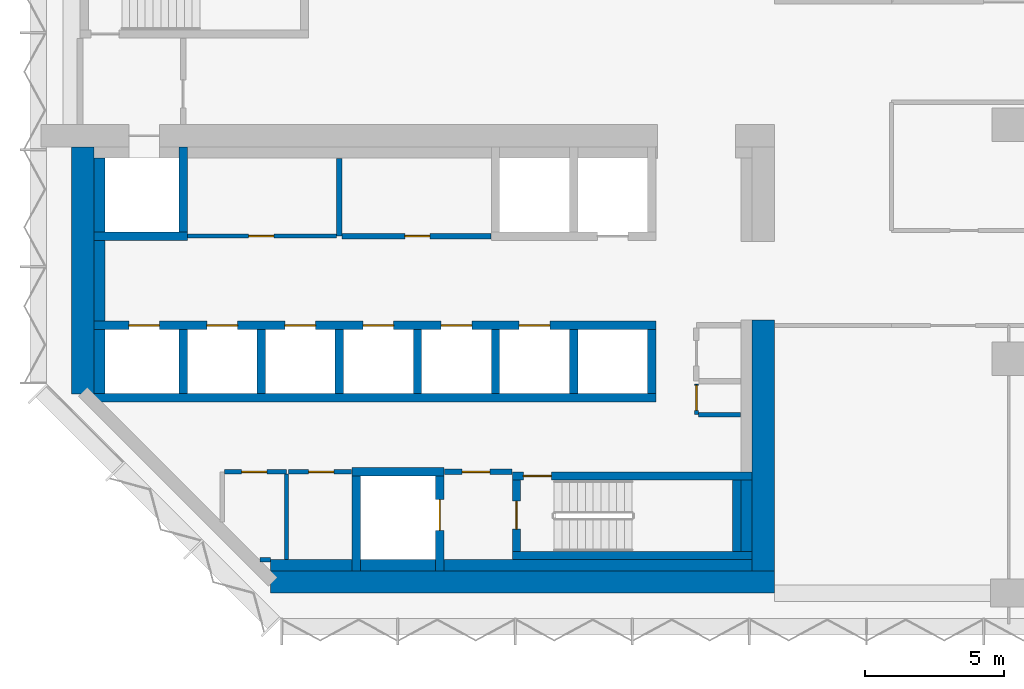
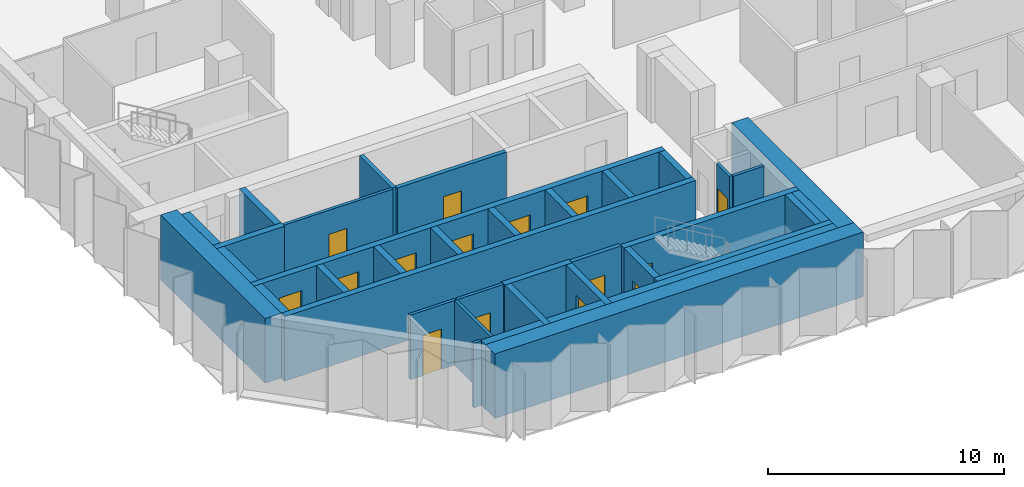
# One storey, part 7 of 13: 38 walls, 15 doors, 15 openings.
"""IFC4 building model written with IfcOpenShell, lengths in metres."""

import ifcopenshell
import ifcopenshell.guid

model = None  # the IFC model being written
_history = None  # IfcOwnerHistory: only IFC2X3 demands one
_inside = {}  # id of a spatial element -> (the spatial element, [elements in it])
_under = {}  # id of a project, library or spatial element -> (it, [spatial elements below it])
_declared = {}  # id of a project -> (the project, [libraries it declares])
_typed = {}  # id of a type object -> (the type object, [elements of that type])
_made_of = {}  # id of a material, layer set ... -> (it, [elements and type objects made of it])


def new_model(schema):
    """Start an empty IFC model of exactly this schema.

    Asked for "IFC4X3", IfcOpenShell would pick the latest addendum, in which some entities
    have other attributes; the version numbers below select the first issue.
    IFC2X3 requires an IfcOwnerHistory on every rooted entity: one is made here for all.
    """
    global model, _history
    if schema == "IFC4X3":
        model = ifcopenshell.file(schema_version=(4, 3, 0, 0))
    else:
        model = ifcopenshell.file(schema=schema)
    _inside.clear()
    _under.clear()
    _declared.clear()
    _typed.clear()
    _made_of.clear()
    _history = None
    if model.schema == "IFC2X3":
        org = make("IfcOrganization", Name="unknown")
        user = make(
            "IfcPersonAndOrganization",
            ThePerson=make("IfcPerson", FamilyName="unknown"),
            TheOrganization=org,
        )
        app = make(
            "IfcApplication",
            ApplicationDeveloper=org,
            Version="unknown",
            ApplicationFullName="unknown",
            ApplicationIdentifier="unknown",
        )
        _history = make(
            "IfcOwnerHistory",
            OwningUser=user,
            OwningApplication=app,
            ChangeAction="ADDED",
            CreationDate=0,
        )
    return model


def make(cls, **values):
    """One entity of the class cls with the attributes given. An attribute that is None is left unset."""
    return model.create_entity(
        cls, **{name: value for name, value in values.items() if value is not None}
    )


def rooted(cls, **values):
    """An entity with a GlobalId (a new one), such as an element, a storey or a relation."""
    return make(cls, GlobalId=ifcopenshell.guid.new(), OwnerHistory=_history, **values)


def si_unit(unit_type, name, prefix=None):
    """IfcSIUnit, for example si_unit("LENGTHUNIT", "METRE", prefix="MILLI")."""
    return make("IfcSIUnit", UnitType=unit_type, Prefix=prefix, Name=name)


def assignment(units):
    """IfcUnitAssignment: the units of a project."""
    return None if units is None else make("IfcUnitAssignment", Units=units)


def point(xyz):
    """IfcCartesianPoint."""
    return None if xyz is None else make("IfcCartesianPoint", Coordinates=xyz)


def direction(xyz):
    """IfcDirection."""
    return None if xyz is None else make("IfcDirection", DirectionRatios=xyz)


def frame(location, z_axis=None, x_axis=None):
    """IfcAxis2Placement3D, a coordinate frame: its origin and axes. An axis left out is left unset."""
    return make(
        "IfcAxis2Placement3D",
        Location=point(location),
        Axis=direction(z_axis),
        RefDirection=direction(x_axis),
    )


def frame_2d(location, x_axis=None):
    """IfcAxis2Placement2D, a coordinate frame in the plane: its origin and x axis."""
    return make(
        "IfcAxis2Placement2D", Location=point(location), RefDirection=direction(x_axis)
    )


def origin():
    """The frame at (0, 0, 0) with its axes left unset."""
    return frame((0.0, 0.0, 0.0))


def place(relative_to, where):
    """IfcLocalPlacement: puts the frame where relative to a parent placement (None: the world)."""
    return make(
        "IfcLocalPlacement", PlacementRelTo=relative_to, RelativePlacement=where
    )


def context(
    kind, dimensions, precision=None, world=None, true_north=None, identifier=None
):
    """IfcGeometricRepresentationContext, for example the 3D "Model" context."""
    return make(
        "IfcGeometricRepresentationContext",
        ContextIdentifier=identifier,
        ContextType=kind,
        CoordinateSpaceDimension=dimensions,
        Precision=precision,
        WorldCoordinateSystem=world,
        TrueNorth=true_north,
    )


def subcontext(parent, identifier, kind, view, scale=None):
    """IfcGeometricRepresentationSubContext, for example "Body" below "Model"."""
    return make(
        "IfcGeometricRepresentationSubContext",
        ContextIdentifier=identifier,
        ContextType=kind,
        ParentContext=parent,
        TargetScale=scale,
        TargetView=view,
    )


def project(units=None, contexts=None):
    """IfcProject with its units and contexts."""
    return rooted(
        "IfcProject",
        Name="project",
        RepresentationContexts=contexts,
        UnitsInContext=assignment(units),
    )


def spatial(cls, under=None, at=None, **own):
    """A site, building, storey or space (cls), placed at a placement, below another one or the project."""
    s = rooted(cls, ObjectPlacement=at, **own)
    if under is not None:
        _under.setdefault(under.id(), (under, []))[1].append(s)
    return s


def profile(cls, at=None, kind="AREA", **sizes):
    """A parametric profile (cls). Its sizes go by their IFC names, for example OverallWidth=200.0."""
    return make(cls, ProfileType=kind, Position=at, **sizes)


def rectangle(**sizes):
    """IfcRectangleProfileDef."""
    return profile("IfcRectangleProfileDef", **sizes)


def extrude(swept, where, along, depth):
    """IfcExtrudedAreaSolid: the profile swept, set in the frame where, extruded along a direction by depth."""
    return make(
        "IfcExtrudedAreaSolid",
        SweptArea=swept,
        Position=where,
        ExtrudedDirection=direction(along),
        Depth=depth,
    )


def shape(context_of_items, identifier, shape_type, items):
    """IfcShapeRepresentation: the items that make up one representation, for example the "Body"."""
    return make(
        "IfcShapeRepresentation",
        ContextOfItems=context_of_items,
        RepresentationIdentifier=identifier,
        RepresentationType=shape_type,
        Items=items,
    )


def material(Name=None, Category=None):
    """IfcMaterial."""
    return make("IfcMaterial", Name=Name, Category=Category)


def layer(
    of_material, thickness, ventilated=None, Name=None, Category=None, Priority=None
):
    """IfcMaterialLayer: one layer of a wall or slab, of a material (None: an air gap)."""
    return make(
        "IfcMaterialLayer",
        Material=of_material,
        LayerThickness=thickness,
        IsVentilated=ventilated,
        Name=Name,
        Category=Category,
        Priority=Priority,
    )


def layer_set(layers, Name=None):
    """IfcMaterialLayerSet."""
    return make("IfcMaterialLayerSet", MaterialLayers=layers, LayerSetName=Name)


def made_of(thing, what):
    """Note that an element or type object is made of a material, layer set ...; save() writes the relation."""
    if what is not None:
        _made_of.setdefault(what.id(), (what, []))[1].append(thing)
    return thing


def type_object(cls, material=None, **own):
    """A type object (cls), such as IfcWallType, which elements share."""
    return made_of(rooted(cls, **own), material)


def element(
    cls,
    number,
    at=None,
    inside=None,
    cuts=None,
    type_object=None,
    material=None,
    context=None,
    identifier="Body",
    shape_type=None,
    held_by="IfcProductDefinitionShape",
    body=None,
    shapes=None,
    **own,
):
    """One element of the class cls, such as IfcWall. Its Tag is "e" and its number.

    at: its placement. inside: the storey or other place that contains it. cuts: it is an
    opening in that element (IfcRelVoidsElement). A single representation is given by context,
    identifier, shape_type and body (its items); several are given by shapes. held_by: the class
    of the entity that holds the representations. save() writes the other relations.
    """
    e = rooted(cls, Tag="e%d" % number, ObjectPlacement=at, **own)
    if body is not None:
        shapes = [shape(context, identifier, shape_type, body)]
    if shapes is not None:
        e.Representation = make(held_by, Representations=shapes)
    if inside is not None:
        _inside.setdefault(inside.id(), (inside, []))[1].append(e)
    if cuts is not None:
        rooted(
            "IfcRelVoidsElement", RelatingBuildingElement=cuts, RelatedOpeningElement=e
        )
    if type_object is not None:
        _typed.setdefault(type_object.id(), (type_object, []))[1].append(e)
    return made_of(e, material)


def fill(opening, filler):
    """IfcRelFillsElement: the door or window that sits in an opening."""
    return rooted(
        "IfcRelFillsElement",
        RelatingOpeningElement=opening,
        RelatedBuildingElement=filler,
    )


def aggregate(whole, parts):
    """IfcRelAggregates: a whole, such as a stair, and the parts it consists of."""
    return rooted("IfcRelAggregates", RelatingObject=whole, RelatedObjects=parts)


def save(model, path):
    """Write the relations noted so far, then the file.

    IfcRelAggregates (storeys below a building ...), IfcRelContainedInSpatialStructure (elements
    in a storey), IfcRelDefinesByType, IfcRelAssociatesMaterial and IfcRelDeclares: one each for
    every whole, place, type object, material and project.
    """
    for whole, parts in _under.values():
        aggregate(whole, parts)
    for where, things in _inside.values():
        rooted(
            "IfcRelContainedInSpatialStructure",
            RelatedElements=things,
            RelatingStructure=where,
        )
    for kind, things in _typed.values():
        rooted("IfcRelDefinesByType", RelatedObjects=things, RelatingType=kind)
    for what, things in _made_of.values():
        rooted("IfcRelAssociatesMaterial", RelatedObjects=things, RelatingMaterial=what)
    for by, libraries in _declared.values():
        rooted("IfcRelDeclares", RelatingContext=by, RelatedDefinitions=libraries)
    model.write(path)


model = new_model("IFC4")

# Units and contexts
model_context = context("Model", 3, precision=1e-05, world=origin(), true_north=direction((0.0, 1.0)))
body_context = subcontext(model_context, "Body", "Model", "MODEL_VIEW")
ifc_project = project(units=[si_unit("LENGTHUNIT", "METRE"), si_unit("AREAUNIT", "SQUARE_METRE"), si_unit("VOLUMEUNIT", "CUBIC_METRE"), si_unit("PLANEANGLEUNIT", "RADIAN"), si_unit("MASSUNIT", "GRAM", prefix="KILO")], contexts=[model_context])

# Site, building, storey
site_placement = place(None, origin())
site = spatial("IfcSite", under=ifc_project, at=site_placement, CompositionType="ELEMENT")
building_placement = place(site_placement, origin())
building = spatial("IfcBuilding", under=site, at=building_placement, Name="Brevane Broadcast Tower", CompositionType="ELEMENT")
storey_placement = place(building_placement, frame((0.0, 0.0, 98.89990234375)))
storey = spatial("IfcBuildingStorey", under=building, at=storey_placement, Name="L23", CompositionType="ELEMENT", Elevation=98.89990234375)

# Walls
ifc_material_1 = material(Name="Concrete C32/40", Category="concrete")
ifc_layer_1 = layer(ifc_material_1, 0.39990234375)
ifc_layer_set_1 = layer_set([ifc_layer_1], Name="Core chase wall 400 mm")
wall_type_1 = type_object("IfcWallType", Name="Core chase wall 400 mm", PredefinedType="PARTITIONING", material=ifc_layer_set_1)
wall_1_placement = place(storey_placement, frame((1.0, 7.14990234375, 0.0), z_axis=(0.0, 0.0, 1.0), x_axis=(0.0, 1.0, 0.0)))
element("IfcWall", 1, at=wall_1_placement, inside=storey, type_object=wall_type_1, Name="L23 chase wall LW-2-1", PredefinedType="PARTITIONING", context=body_context, shape_type="SweptSolid", body=[
    extrude(rectangle(XDim=2.300048828125, YDim=0.39990234375, at=frame_2d((1.14990234375, 0.0))), origin(), (0.0, 0.0, 1.0), 3.35009765625),
])
wall_2_placement = place(storey_placement, frame((1.0, 9.75, 0.0), z_axis=(0.0, 0.0, 1.0), x_axis=(0.0, 1.0, 0.0)))
element("IfcWall", 2, at=wall_2_placement, inside=storey, type_object=wall_type_1, Name="L23 chase wall LW-2-2-1", PredefinedType="PARTITIONING", context=body_context, shape_type="SweptSolid", body=[
    extrude(rectangle(XDim=2.89990234375, YDim=0.39990234375, at=frame_2d((1.449951171875, 0.0))), origin(), (0.0, 0.0, 1.0), 3.35009765625),
])
wall_3_placement = place(storey_placement, frame((1.0, 12.949951171875, 0.0), z_axis=(0.0, 0.0, 1.0), x_axis=(0.0, 1.0, 0.0)))
element("IfcWall", 3, at=wall_3_placement, inside=storey, type_object=wall_type_1, Name="L23 chase wall LW-2-2-2", PredefinedType="PARTITIONING", context=body_context, shape_type="SweptSolid", body=[
    extrude(rectangle(XDim=2.650146484375, YDim=0.39990234375, at=frame_2d((1.3251953125, 0.0))), origin(), (0.0, 0.0, 1.0), 3.35009765625),
])
wall_4_placement = place(storey_placement, frame((7.136474609375, 1.0, 0.0), z_axis=(0.0, 0.0, 1.0), x_axis=(1.0, 0.0, 0.0)))
element("IfcWall", 4, at=wall_4_placement, inside=storey, type_object=wall_type_1, Name="L23 chase wall LS-1", PredefinedType="PARTITIONING", context=body_context, shape_type="SweptSolid", body=[
    extrude(rectangle(XDim=2.91357421875, YDim=0.39990234375, at=frame_2d((1.456787109375, 0.0))), origin(), (0.0, 0.0, 1.0), 3.35009765625),
])
wall_5_placement = place(storey_placement, frame((10.35009765625, 1.0, 0.0), z_axis=(0.0, 0.0, 1.0), x_axis=(1.0, 0.0, 0.0)))
element("IfcWall", 5, at=wall_5_placement, inside=storey, type_object=wall_type_1, Name="L23 chase wall LS-2-1", PredefinedType="PARTITIONING", context=body_context, shape_type="SweptSolid", body=[
    extrude(rectangle(XDim=2.699951171875, YDim=0.39990234375, at=frame_2d((1.35009765625, 0.0))), origin(), (0.0, 0.0, 1.0), 3.35009765625),
])
wall_6_placement = place(storey_placement, frame((13.35009765625, 1.0, 0.0), z_axis=(0.0, 0.0, 1.0), x_axis=(1.0, 0.0, 0.0)))
element("IfcWall", 6, at=wall_6_placement, inside=storey, type_object=wall_type_1, Name="L23 chase wall LS-2-2", PredefinedType="PARTITIONING", context=body_context, shape_type="SweptSolid", body=[
    extrude(rectangle(XDim=11.0498046875, YDim=0.39990234375, at=frame_2d((5.52490234375, 0.0))), origin(), (0.0, 0.0, 1.0), 3.35009765625),
])
wall_7_placement = place(storey_placement, frame((24.199951171875, 1.5, 0.0), z_axis=(0.0, 0.0, 1.0), x_axis=(0.0, 1.0, 0.0)))
element("IfcWall", 7, at=wall_7_placement, inside=storey, type_object=wall_type_1, Name="L23 chase wall LE1-2-1", PredefinedType="PARTITIONING", context=body_context, shape_type="SweptSolid", body=[
    extrude(rectangle(XDim=2.550048828125, YDim=0.39990234375, at=frame_2d((1.27490234375, 0.0))), origin(), (0.0, 0.0, 1.0), 3.35009765625),
])

# Wall, opening, door
ifc_material_2 = material(Name="Gypsum board on steel studs", Category="steel")
ifc_layer_2 = layer(ifc_material_2, 0.14990234375)
ifc_layer_set_2 = layer_set([ifc_layer_2], Name="Core fire partition 150 mm")
wall_type_2 = type_object("IfcWallType", Name="Core fire partition 150 mm", PredefinedType="PARTITIONING", material=ifc_layer_set_2)
wall_8_placement = place(storey_placement, frame((4.162109375, 12.800048828125, 0.0), z_axis=(0.0, 0.0, 1.0), x_axis=(1.0, 0.0, 0.0)))
wall_8 = element("IfcWall", 8, at=wall_8_placement, inside=storey, type_object=wall_type_2, Name="L23 partition wall P09", PredefinedType="PARTITIONING", context=body_context, shape_type="SweptSolid", body=[
    extrude(rectangle(XDim=5.337890625, YDim=0.14990234375, at=frame_2d((2.6689453125, 0.0))), origin(), (0.0, 0.0, 1.0), 3.35009765625),
])
opening_1_placement = place(wall_8_placement, frame((2.18798828125, 0.0, 0.0)))
opening_1 = element("IfcOpeningElement", 9, at=opening_1_placement, cuts=wall_8, Name="Opening L23-K21", PredefinedType="OPENING", context=body_context, shape_type="SweptSolid", body=[
    extrude(rectangle(XDim=0.89990234375, YDim=2.10009765625, at=frame_2d((0.449951171875, 1.050048828125))), frame((0.0, 0.0849609375, 0.0), z_axis=(0.0, -1.0, 0.0), x_axis=(1.0, 0.0, 0.0)), (0.0, 0.0, 1.0), 0.169921875),
])
ifc_material_3 = material(Name="Steel", Category="steel")
door_type_1 = type_object("IfcDoorType", Name="Service room door 900 x 2100", OperationType="SINGLE_SWING_LEFT", PredefinedType="DOOR", material=ifc_material_3)
door_1_placement = place(opening_1_placement, origin())
door_1 = element("IfcDoor", 10, at=door_1_placement, inside=storey, type_object=door_type_1, Name="Door L23-K21", OperationType="SINGLE_SWING_LEFT", OverallHeight=2.10009765625, OverallWidth=0.89990234375, PredefinedType="DOOR", context=body_context, shape_type="SweptSolid", body=[
    extrude(rectangle(XDim=0.89990234375, YDim=2.10009765625, at=frame_2d((0.449951171875, 1.050048828125))), frame((0.0, 0.02490234375, 0.0), z_axis=(0.0, -1.0, 0.0), x_axis=(1.0, 0.0, 0.0)), (0.0, 0.0, 1.0), 0.050048828125),
])
fill(opening_1, door_1)

wall_9_placement = place(storey_placement, frame((5.47509765625, 4.35009765625, 0.0), z_axis=(0.0, 0.0, 1.0), x_axis=(1.0, 0.0, 0.0)))
wall_9 = element("IfcWall", 11, at=wall_9_placement, inside=storey, type_object=wall_type_2, Name="L23 partition wall P11", PredefinedType="PARTITIONING", context=body_context, shape_type="SweptSolid", body=[
    extrude(rectangle(XDim=2.224853515625, YDim=0.14990234375, at=frame_2d((1.1123046875, 0.0))), origin(), (0.0, 0.0, 1.0), 3.35009765625),
])
opening_2_placement = place(wall_9_placement, frame((0.625, 0.0, 0.0)))
opening_2 = element("IfcOpeningElement", 12, at=opening_2_placement, cuts=wall_9, Name="Opening L23-K16", PredefinedType="OPENING", context=body_context, shape_type="SweptSolid", body=[
    extrude(rectangle(XDim=0.89990234375, YDim=2.10009765625, at=frame_2d((0.449951171875, 1.050048828125))), frame((0.0, 0.0849609375, 0.0), z_axis=(0.0, -1.0, 0.0), x_axis=(1.0, 0.0, 0.0)), (0.0, 0.0, 1.0), 0.169921875),
])
ifc_material_4 = material(Name="Timber", Category="wood")
door_type_2 = type_object("IfcDoorType", Name="Toilet door 900 x 2100", OperationType="SINGLE_SWING_LEFT", PredefinedType="DOOR", material=ifc_material_4)
door_2_placement = place(opening_2_placement, origin())
door_2 = element("IfcDoor", 13, at=door_2_placement, inside=storey, type_object=door_type_2, Name="Door L23-K16", OperationType="SINGLE_SWING_RIGHT", OverallHeight=2.10009765625, OverallWidth=0.89990234375, PredefinedType="DOOR", context=body_context, shape_type="SweptSolid", body=[
    extrude(rectangle(XDim=0.89990234375, YDim=2.10009765625, at=frame_2d((0.449951171875, 1.050048828125))), frame((0.0, 0.02490234375, 0.0), z_axis=(0.0, -1.0, 0.0), x_axis=(1.0, 0.0, 0.0)), (0.0, 0.0, 1.0), 0.050048828125),
])
fill(opening_2, door_2)

# Walls
wall_10_placement = place(storey_placement, frame((7.699951171875, 4.27490234375, 0.0), z_axis=(0.0, 0.0, 1.0), x_axis=(0.0, -1.0, 0.0)))
element("IfcWall", 14, at=wall_10_placement, inside=storey, type_object=wall_type_2, Name="L23 partition wall P12", PredefinedType="PARTITIONING", context=body_context, shape_type="SweptSolid", body=[
    extrude(rectangle(XDim=3.06298828125, YDim=0.14990234375, at=frame_2d((1.531494140625, 0.0))), origin(), (0.0, 0.0, 1.0), 3.35009765625),
])
wall_11_placement = place(storey_placement, frame((7.12451171875, 1.199951171875, 0.0), z_axis=(0.0, 0.0, 1.0), x_axis=(-1.0, 0.0, 0.0)))
element("IfcWall", 15, at=wall_11_placement, inside=storey, type_object=wall_type_2, Name="L23 partition wall P13", PredefinedType="PARTITIONING", context=body_context, shape_type="SweptSolid", body=[
    extrude(rectangle(XDim=0.37109375, YDim=0.14990234375, at=frame_2d((0.185546875, 0.0))), origin(), (0.0, 0.0, 1.0), 3.35009765625),
])

# Wall, opening, door
wall_12_placement = place(storey_placement, frame((10.0380859375, 4.35009765625, 0.0), z_axis=(0.0, 0.0, 1.0), x_axis=(-1.0, 0.0, 0.0)))
wall_12 = element("IfcWall", 16, at=wall_12_placement, inside=storey, type_object=wall_type_2, Name="L23 partition wall P14", PredefinedType="PARTITIONING", context=body_context, shape_type="SweptSolid", body=[
    extrude(rectangle(XDim=2.26318359375, YDim=0.14990234375, at=frame_2d((1.131591796875, 0.0))), origin(), (0.0, 0.0, 1.0), 3.35009765625),
])
opening_3_placement = place(wall_12_placement, frame((0.637939453125, 0.0, 0.0)))
opening_3 = element("IfcOpeningElement", 17, at=opening_3_placement, cuts=wall_12, Name="Opening L23-K17", PredefinedType="OPENING", context=body_context, shape_type="SweptSolid", body=[
    extrude(rectangle(XDim=0.89990234375, YDim=2.10009765625, at=frame_2d((0.449951171875, 1.050048828125))), frame((0.0, 0.0849609375, 0.0), z_axis=(0.0, -1.0, 0.0), x_axis=(1.0, 0.0, 0.0)), (0.0, 0.0, 1.0), 0.169921875),
])
door_3_placement = place(opening_3_placement, origin())
door_3 = element("IfcDoor", 18, at=door_3_placement, inside=storey, type_object=door_type_2, Name="Door L23-K17", OperationType="SINGLE_SWING_LEFT", OverallHeight=2.10009765625, OverallWidth=0.89990234375, PredefinedType="DOOR", context=body_context, shape_type="SweptSolid", body=[
    extrude(rectangle(XDim=0.89990234375, YDim=2.10009765625, at=frame_2d((0.449951171875, 1.050048828125))), frame((0.0, 0.02490234375, 0.0), z_axis=(0.0, -1.0, 0.0), x_axis=(1.0, 0.0, 0.0)), (0.0, 0.0, 1.0), 0.050048828125),
])
fill(opening_3, door_3)

wall_13_placement = place(storey_placement, frame((22.39990234375, 7.5, 0.0), z_axis=(0.0, 0.0, 1.0), x_axis=(0.0, -1.0, 0.0)))
wall_13 = element("IfcWall", 19, at=wall_13_placement, inside=storey, type_object=wall_type_2, Name="L23 partition wall P22", PredefinedType="PARTITIONING", context=body_context, shape_type="SweptSolid", body=[
    extrude(rectangle(XDim=1.10009765625, YDim=0.14990234375, at=frame_2d((0.550048828125, 0.0))), origin(), (0.0, 0.0, 1.0), 3.35009765625),
])
opening_4_placement = place(wall_13_placement, frame((0.050048828125, 0.0, 0.0)))
opening_4 = element("IfcOpeningElement", 20, at=opening_4_placement, cuts=wall_13, Name="Opening L23-K19", PredefinedType="OPENING", context=body_context, shape_type="SweptSolid", body=[
    extrude(rectangle(XDim=0.89990234375, YDim=2.10009765625, at=frame_2d((0.449951171875, 1.050048828125))), frame((0.0, 0.0849609375, 0.0), z_axis=(0.0, -1.0, 0.0), x_axis=(1.0, 0.0, 0.0)), (0.0, 0.0, 1.0), 0.169921875),
])
door_4_placement = place(opening_4_placement, origin())
door_4 = element("IfcDoor", 21, at=door_4_placement, inside=storey, type_object=door_type_1, Name="Door L23-K19", OperationType="SINGLE_SWING_LEFT", OverallHeight=2.10009765625, OverallWidth=0.89990234375, PredefinedType="DOOR", context=body_context, shape_type="SweptSolid", body=[
    extrude(rectangle(XDim=0.89990234375, YDim=2.10009765625, at=frame_2d((0.449951171875, 1.050048828125))), frame((0.0, 0.02490234375, 0.0), z_axis=(0.0, -1.0, 0.0), x_axis=(1.0, 0.0, 0.0)), (0.0, 0.0, 1.0), 0.050048828125),
])
fill(opening_4, door_4)

# Wall
wall_14_placement = place(storey_placement, frame((22.47509765625, 6.39990234375, 0.0), z_axis=(0.0, 0.0, 1.0), x_axis=(1.0, 0.0, 0.0)))
element("IfcWall", 22, at=wall_14_placement, inside=storey, type_object=wall_type_2, Name="L23 partition wall P23", PredefinedType="PARTITIONING", context=body_context, shape_type="SweptSolid", body=[
    extrude(rectangle(XDim=1.512939453125, YDim=0.14990234375, at=frame_2d((0.75634765625, 0.0))), origin(), (0.0, 0.0, 1.0), 3.35009765625),
])

# Wall, opening, door
ifc_layer_3 = layer(ifc_material_2, 0.199951171875)
ifc_layer_set_3 = layer_set([ifc_layer_3], Name="Core fire partition 200 mm")
wall_type_3 = type_object("IfcWallType", Name="Core fire partition 200 mm", PredefinedType="PARTITIONING", material=ifc_layer_set_3)
wall_15_placement = place(storey_placement, frame((13.362060546875, 4.35009765625, 0.0), z_axis=(0.0, 0.0, 1.0), x_axis=(1.0, 0.0, 0.0)))
wall_15 = element("IfcWall", 23, at=wall_15_placement, inside=storey, type_object=wall_type_3, Name="L23 partition wall P03", PredefinedType="PARTITIONING", context=body_context, shape_type="SweptSolid", body=[
    extrude(rectangle(XDim=2.426025390625, YDim=0.199951171875, at=frame_2d((1.212890625, 0.0))), origin(), (0.0, 0.0, 1.0), 3.35009765625),
])
opening_5_placement = place(wall_15_placement, frame((0.637939453125, 0.0, 0.0)))
opening_5 = element("IfcOpeningElement", 24, at=opening_5_placement, cuts=wall_15, Name="Opening L23-K18", PredefinedType="OPENING", context=body_context, shape_type="SweptSolid", body=[
    extrude(rectangle(XDim=1.0, YDim=2.10009765625, at=frame_2d((0.5, 1.050048828125))), frame((0.0, 0.10986328125, 0.0), z_axis=(0.0, -1.0, 0.0), x_axis=(1.0, 0.0, 0.0)), (0.0, 0.0, 1.0), 0.219970703125),
])
door_type_3 = type_object("IfcDoorType", Name="Stair door 1000 x 2100", OperationType="SINGLE_SWING_LEFT", PredefinedType="DOOR", material=ifc_material_3)
door_5_placement = place(opening_5_placement, origin())
door_5 = element("IfcDoor", 25, at=door_5_placement, inside=storey, type_object=door_type_3, Name="Door L23-K18", OperationType="SINGLE_SWING_RIGHT", OverallHeight=2.10009765625, OverallWidth=1.0, PredefinedType="DOOR", context=body_context, shape_type="SweptSolid", body=[
    extrude(rectangle(XDim=1.0, YDim=2.10009765625, at=frame_2d((0.5, 1.050048828125))), frame((0.0, 0.02490234375, 0.0), z_axis=(0.0, -1.0, 0.0), x_axis=(1.0, 0.0, 0.0)), (0.0, 0.0, 1.0), 0.050048828125),
])
fill(opening_5, door_5)

# Wall
wall_16_placement = place(storey_placement, frame((9.60009765625, 15.587890625, 0.0), z_axis=(0.0, 0.0, 1.0), x_axis=(0.0, -1.0, 0.0)))
element("IfcWall", 26, at=wall_16_placement, inside=storey, type_object=wall_type_3, Name="L23 partition wall P04", PredefinedType="PARTITIONING", context=body_context, shape_type="SweptSolid", body=[
    extrude(rectangle(XDim=2.787841796875, YDim=0.199951171875, at=frame_2d((1.39404296875, 0.0))), origin(), (0.0, 0.0, 1.0), 3.35009765625),
])

# Wall, opening, door
wall_17_placement = place(storey_placement, frame((9.699951171875, 12.800048828125, 0.0), z_axis=(0.0, 0.0, 1.0), x_axis=(1.0, 0.0, 0.0)))
wall_17 = element("IfcWall", 27, at=wall_17_placement, inside=storey, type_object=wall_type_3, Name="L23 partition wall P05", PredefinedType="PARTITIONING", context=body_context, shape_type="SweptSolid", body=[
    extrude(rectangle(XDim=5.338134765625, YDim=0.199951171875, at=frame_2d((2.6689453125, 0.0))), origin(), (0.0, 0.0, 1.0), 3.35009765625),
])
opening_6_placement = place(wall_17_placement, frame((2.25, 0.0, 0.0)))
opening_6 = element("IfcOpeningElement", 28, at=opening_6_placement, cuts=wall_17, Name="Opening L23-K22", PredefinedType="OPENING", context=body_context, shape_type="SweptSolid", body=[
    extrude(rectangle(XDim=0.89990234375, YDim=2.10009765625, at=frame_2d((0.449951171875, 1.050048828125))), frame((0.0, 0.10986328125, 0.0), z_axis=(0.0, -1.0, 0.0), x_axis=(1.0, 0.0, 0.0)), (0.0, 0.0, 1.0), 0.219970703125),
])
door_6_placement = place(opening_6_placement, origin())
door_6 = element("IfcDoor", 29, at=door_6_placement, inside=storey, type_object=door_type_1, Name="Door L23-K22", OperationType="SINGLE_SWING_RIGHT", OverallHeight=2.10009765625, OverallWidth=0.89990234375, PredefinedType="DOOR", context=body_context, shape_type="SweptSolid", body=[
    extrude(rectangle(XDim=0.89990234375, YDim=2.10009765625, at=frame_2d((0.449951171875, 1.050048828125))), frame((0.0, 0.02490234375, 0.0), z_axis=(0.0, -1.0, 0.0), x_axis=(1.0, 0.0, 0.0)), (0.0, 0.0, 1.0), 0.050048828125),
])
fill(opening_6, door_6)

# Wall
ifc_material_5 = material(Name="Concrete C60/75", Category="concrete")
ifc_layer_4 = layer(ifc_material_5, 0.300048828125)
ifc_layer_set_4 = layer_set([ifc_layer_4], Name="Core wall 300 mm C60/75")
wall_type_4 = type_object("IfcWallType", Name="Core wall 300 mm C60/75", PredefinedType="SHEAR", material=ifc_layer_set_4)
wall_18_placement = place(storey_placement, frame((0.800048828125, 7.0, 0.0), z_axis=(0.0, 0.0, 1.0), x_axis=(1.0, 0.0, 0.0)))
element("IfcWall", 30, at=wall_18_placement, inside=storey, type_object=wall_type_4, Name="L23 shaft wall SH-S012-back", PredefinedType="SHEAR", context=body_context, shape_type="SweptSolid", body=[
    extrude(rectangle(XDim=20.14990234375, YDim=0.300048828125, at=frame_2d((10.074951171875, 0.0))), origin(), (0.0, 0.0, 1.0), 3.35009765625),
])

# Wall, openings, doors
wall_19_placement = place(storey_placement, frame((0.800048828125, 9.60009765625, 0.0), z_axis=(0.0, 0.0, 1.0), x_axis=(1.0, 0.0, 0.0)))
wall_19 = element("IfcWall", 31, at=wall_19_placement, inside=storey, type_object=wall_type_4, Name="L23 shaft wall SH-S012-front", PredefinedType="SHEAR", context=body_context, shape_type="SweptSolid", body=[
    extrude(rectangle(XDim=20.14990234375, YDim=0.300048828125, at=frame_2d((10.074951171875, 0.0))), origin(), (0.0, 0.0, 1.0), 3.35009765625),
])
opening_7_placement = place(wall_19_placement, frame((1.25, 0.0, 0.0)))
opening_7 = element("IfcOpeningElement", 32, at=opening_7_placement, cuts=wall_19, Name="Opening LD", PredefinedType="OPENING", context=body_context, shape_type="SweptSolid", body=[
    extrude(rectangle(XDim=1.10009765625, YDim=2.300048828125, at=frame_2d((0.550048828125, 1.14990234375))), frame((0.0, 0.159912109375, 0.0), z_axis=(0.0, -1.0, 0.0), x_axis=(1.0, 0.0, 0.0)), (0.0, 0.0, 1.0), 0.320068359375),
])
opening_8_placement = place(wall_19_placement, frame((4.050048828125, 0.0, 0.0)))
opening_8 = element("IfcOpeningElement", 33, at=opening_8_placement, cuts=wall_19, Name="Opening LD", PredefinedType="OPENING", context=body_context, shape_type="SweptSolid", body=[
    extrude(rectangle(XDim=1.10009765625, YDim=2.300048828125, at=frame_2d((0.550048828125, 1.14990234375))), frame((0.0, 0.159912109375, 0.0), z_axis=(0.0, -1.0, 0.0), x_axis=(1.0, 0.0, 0.0)), (0.0, 0.0, 1.0), 0.320068359375),
])
opening_9_placement = place(wall_19_placement, frame((6.85009765625, 0.0, 0.0)))
opening_9 = element("IfcOpeningElement", 34, at=opening_9_placement, cuts=wall_19, Name="Opening LD", PredefinedType="OPENING", context=body_context, shape_type="SweptSolid", body=[
    extrude(rectangle(XDim=1.10009765625, YDim=2.300048828125, at=frame_2d((0.550048828125, 1.14990234375))), frame((0.0, 0.159912109375, 0.0), z_axis=(0.0, -1.0, 0.0), x_axis=(1.0, 0.0, 0.0)), (0.0, 0.0, 1.0), 0.320068359375),
])
opening_10_placement = place(wall_19_placement, frame((9.64990234375, 0.0, 0.0)))
opening_10 = element("IfcOpeningElement", 35, at=opening_10_placement, cuts=wall_19, Name="Opening LD", PredefinedType="OPENING", context=body_context, shape_type="SweptSolid", body=[
    extrude(rectangle(XDim=1.10009765625, YDim=2.300048828125, at=frame_2d((0.550048828125, 1.14990234375))), frame((0.0, 0.159912109375, 0.0), z_axis=(0.0, -1.0, 0.0), x_axis=(1.0, 0.0, 0.0)), (0.0, 0.0, 1.0), 0.320068359375),
])
opening_11_placement = place(wall_19_placement, frame((12.449951171875, 0.0, 0.0)))
opening_11 = element("IfcOpeningElement", 36, at=opening_11_placement, cuts=wall_19, Name="Opening LD", PredefinedType="OPENING", context=body_context, shape_type="SweptSolid", body=[
    extrude(rectangle(XDim=1.10009765625, YDim=2.300048828125, at=frame_2d((0.550048828125, 1.14990234375))), frame((0.0, 0.159912109375, 0.0), z_axis=(0.0, -1.0, 0.0), x_axis=(1.0, 0.0, 0.0)), (0.0, 0.0, 1.0), 0.320068359375),
])
opening_12_placement = place(wall_19_placement, frame((15.25, 0.0, 0.0)))
opening_12 = element("IfcOpeningElement", 37, at=opening_12_placement, cuts=wall_19, Name="Opening LD", PredefinedType="OPENING", context=body_context, shape_type="SweptSolid", body=[
    extrude(rectangle(XDim=1.10009765625, YDim=2.300048828125, at=frame_2d((0.550048828125, 1.14990234375))), frame((0.0, 0.159912109375, 0.0), z_axis=(0.0, -1.0, 0.0), x_axis=(1.0, 0.0, 0.0)), (0.0, 0.0, 1.0), 0.320068359375),
])
ifc_material_6 = material(Name="Stainless steel", Category="steel")
door_type_4 = type_object("IfcDoorType", Name="Lift landing door", OperationType="SLIDING_TO_LEFT", PredefinedType="DOOR", material=ifc_material_6)
door_7_placement = place(opening_7_placement, origin())
door_7 = element("IfcDoor", 38, at=door_7_placement, inside=storey, type_object=door_type_4, Name="Landing door LR1 L23", OperationType="SLIDING_TO_LEFT", OverallHeight=2.300048828125, OverallWidth=1.10009765625, PredefinedType="DOOR", context=body_context, shape_type="SweptSolid", body=[
    extrude(rectangle(XDim=1.10009765625, YDim=2.300048828125, at=frame_2d((0.550048828125, 1.14990234375))), frame((0.0, 0.02490234375, 0.0), z_axis=(0.0, -1.0, 0.0), x_axis=(1.0, 0.0, 0.0)), (0.0, 0.0, 1.0), 0.050048828125),
])
fill(opening_7, door_7)
door_8_placement = place(opening_8_placement, origin())
door_8 = element("IfcDoor", 39, at=door_8_placement, inside=storey, type_object=door_type_4, Name="Landing door LR2 L23", OperationType="SLIDING_TO_LEFT", OverallHeight=2.300048828125, OverallWidth=1.10009765625, PredefinedType="DOOR", context=body_context, shape_type="SweptSolid", body=[
    extrude(rectangle(XDim=1.10009765625, YDim=2.300048828125, at=frame_2d((0.550048828125, 1.14990234375))), frame((0.0, 0.02490234375, 0.0), z_axis=(0.0, -1.0, 0.0), x_axis=(1.0, 0.0, 0.0)), (0.0, 0.0, 1.0), 0.050048828125),
])
fill(opening_8, door_8)
door_9_placement = place(opening_9_placement, origin())
door_9 = element("IfcDoor", 40, at=door_9_placement, inside=storey, type_object=door_type_4, Name="Landing door LR3 L23", OperationType="SLIDING_TO_LEFT", OverallHeight=2.300048828125, OverallWidth=1.10009765625, PredefinedType="DOOR", context=body_context, shape_type="SweptSolid", body=[
    extrude(rectangle(XDim=1.10009765625, YDim=2.300048828125, at=frame_2d((0.550048828125, 1.14990234375))), frame((0.0, 0.02490234375, 0.0), z_axis=(0.0, -1.0, 0.0), x_axis=(1.0, 0.0, 0.0)), (0.0, 0.0, 1.0), 0.050048828125),
])
fill(opening_9, door_9)
door_10_placement = place(opening_10_placement, origin())
door_10 = element("IfcDoor", 41, at=door_10_placement, inside=storey, type_object=door_type_4, Name="Landing door LR4 L23", OperationType="SLIDING_TO_LEFT", OverallHeight=2.300048828125, OverallWidth=1.10009765625, PredefinedType="DOOR", context=body_context, shape_type="SweptSolid", body=[
    extrude(rectangle(XDim=1.10009765625, YDim=2.300048828125, at=frame_2d((0.550048828125, 1.14990234375))), frame((0.0, 0.02490234375, 0.0), z_axis=(0.0, -1.0, 0.0), x_axis=(1.0, 0.0, 0.0)), (0.0, 0.0, 1.0), 0.050048828125),
])
fill(opening_10, door_10)
door_11_placement = place(opening_11_placement, origin())
door_11 = element("IfcDoor", 42, at=door_11_placement, inside=storey, type_object=door_type_4, Name="Landing door LR5 L23", OperationType="SLIDING_TO_LEFT", OverallHeight=2.300048828125, OverallWidth=1.10009765625, PredefinedType="DOOR", context=body_context, shape_type="SweptSolid", body=[
    extrude(rectangle(XDim=1.10009765625, YDim=2.300048828125, at=frame_2d((0.550048828125, 1.14990234375))), frame((0.0, 0.02490234375, 0.0), z_axis=(0.0, -1.0, 0.0), x_axis=(1.0, 0.0, 0.0)), (0.0, 0.0, 1.0), 0.050048828125),
])
fill(opening_11, door_11)
door_12_placement = place(opening_12_placement, origin())
door_12 = element("IfcDoor", 43, at=door_12_placement, inside=storey, type_object=door_type_4, Name="Landing door LR6 L23", OperationType="SLIDING_TO_LEFT", OverallHeight=2.300048828125, OverallWidth=1.10009765625, PredefinedType="DOOR", context=body_context, shape_type="SweptSolid", body=[
    extrude(rectangle(XDim=1.10009765625, YDim=2.300048828125, at=frame_2d((0.550048828125, 1.14990234375))), frame((0.0, 0.02490234375, 0.0), z_axis=(0.0, -1.0, 0.0), x_axis=(1.0, 0.0, 0.0)), (0.0, 0.0, 1.0), 0.050048828125),
])
fill(opening_12, door_12)

# Walls
for number, where, z_axis, x_axis, name in (
    (44, (4.0, 7.14990234375, 0.0), (0.0, 0.0, 1.0), (0.0, 1.0, 0.0), "L23 shaft wall SH-S-P040"),
    (45, (6.800048828125, 7.14990234375, 0.0), (0.0, 0.0, 1.0), (0.0, 1.0, 0.0), "L23 shaft wall SH-S-P068"),
    (46, (9.60009765625, 7.14990234375, 0.0), (0.0, 0.0, 1.0), (0.0, 1.0, 0.0), "L23 shaft wall SH-S-P096"),
    (47, (12.39990234375, 7.14990234375, 0.0), (0.0, 0.0, 1.0), (0.0, 1.0, 0.0), "L23 shaft wall SH-S-P124"),
    (48, (15.199951171875, 7.14990234375, 0.0), (0.0, 0.0, 1.0), (0.0, 1.0, 0.0), "L23 shaft wall SH-S-P152"),
    (49, (18.0, 7.14990234375, 0.0), (0.0, 0.0, 1.0), (0.0, 1.0, 0.0), "L23 shaft wall SH-S-P180"),
    (50, (20.800048828125, 7.14990234375, 0.0), (0.0, 0.0, 1.0), (0.0, 1.0, 0.0), "L23 shaft wall SH-S-P208"),
):
    element("IfcWall", number, at=place(storey_placement, frame(where, z_axis=z_axis, x_axis=x_axis)), inside=storey, type_object=wall_type_4, Name=name, PredefinedType="SHEAR", context=body_context, shape_type="SweptSolid", body=[
        extrude(rectangle(XDim=2.300048828125, YDim=0.300048828125, at=frame_2d((1.14990234375, 0.0))), origin(), (0.0, 0.0, 1.0), 3.35009765625),
    ])
wall_20_placement = place(storey_placement, frame((0.800048828125, 12.800048828125, 0.0), z_axis=(0.0, 0.0, 1.0), x_axis=(1.0, 0.0, 0.0)))
element("IfcWall", 51, at=wall_20_placement, inside=storey, type_object=wall_type_4, Name="L23 shaft wall SH-N012-front", PredefinedType="SHEAR", context=body_context, shape_type="SweptSolid", body=[
    extrude(rectangle(XDim=3.349853515625, YDim=0.300048828125, at=frame_2d((1.6748046875, 0.0))), origin(), (0.0, 0.0, 1.0), 3.35009765625),
])
wall_21_placement = place(storey_placement, frame((4.0, 12.949951171875, 0.0), z_axis=(0.0, 0.0, 1.0), x_axis=(0.0, 1.0, 0.0)))
element("IfcWall", 52, at=wall_21_placement, inside=storey, type_object=wall_type_4, Name="L23 shaft wall SH-N-P040", PredefinedType="SHEAR", context=body_context, shape_type="SweptSolid", body=[
    extrude(rectangle(XDim=3.050048828125, YDim=0.300048828125, at=frame_2d((1.52490234375, 0.0))), origin(), (0.0, 0.0, 1.0), 3.35009765625),
])
wall_22_placement = place(storey_placement, frame((10.199951171875, 0.800048828125, 0.0), z_axis=(0.0, 0.0, 1.0), x_axis=(0.0, 1.0, 0.0)))
element("IfcWall", 53, at=wall_22_placement, inside=storey, type_object=wall_type_4, Name="L23 shaft wall FF2-W", PredefinedType="SHEAR", context=body_context, shape_type="SweptSolid", body=[
    extrude(rectangle(XDim=3.39990234375, YDim=0.300048828125, at=frame_2d((1.699951171875, 0.0))), origin(), (0.0, 0.0, 1.0), 3.35009765625),
])

# Wall, opening, door
wall_23_placement = place(storey_placement, frame((13.199951171875, 0.800048828125, 0.0), z_axis=(0.0, 0.0, 1.0), x_axis=(0.0, 1.0, 0.0)))
wall_23 = element("IfcWall", 54, at=wall_23_placement, inside=storey, type_object=wall_type_4, Name="L23 shaft wall FF2-E", PredefinedType="SHEAR", context=body_context, shape_type="SweptSolid", body=[
    extrude(rectangle(XDim=3.39990234375, YDim=0.300048828125, at=frame_2d((1.699951171875, 0.0))), origin(), (0.0, 0.0, 1.0), 3.35009765625),
])
opening_13_placement = place(wall_23_placement, frame((1.449951171875, 0.0, 0.0)))
opening_13 = element("IfcOpeningElement", 55, at=opening_13_placement, cuts=wall_23, Name="Opening LD", PredefinedType="OPENING", context=body_context, shape_type="SweptSolid", body=[
    extrude(rectangle(XDim=1.10009765625, YDim=2.300048828125, at=frame_2d((0.550048828125, 1.14990234375))), frame((0.0, 0.159912109375, 0.0), z_axis=(0.0, -1.0, 0.0), x_axis=(1.0, 0.0, 0.0)), (0.0, 0.0, 1.0), 0.320068359375),
])
door_13_placement = place(opening_13_placement, origin())
door_13 = element("IfcDoor", 56, at=door_13_placement, inside=storey, type_object=door_type_4, Name="Landing door FF2 L23", OperationType="SLIDING_TO_LEFT", OverallHeight=2.300048828125, OverallWidth=1.10009765625, PredefinedType="DOOR", context=body_context, shape_type="SweptSolid", body=[
    extrude(rectangle(XDim=1.10009765625, YDim=2.300048828125, at=frame_2d((0.550048828125, 1.14990234375))), frame((0.0, 0.02490234375, 0.0), z_axis=(0.0, -1.0, 0.0), x_axis=(1.0, 0.0, 0.0)), (0.0, 0.0, 1.0), 0.050048828125),
])
fill(opening_13, door_13)

# Walls
wall_24_placement = place(storey_placement, frame((10.050048828125, 4.35009765625, 0.0), z_axis=(0.0, 0.0, 1.0), x_axis=(1.0, 0.0, 0.0)))
element("IfcWall", 57, at=wall_24_placement, inside=storey, type_object=wall_type_4, Name="L23 shaft wall FF2-N", PredefinedType="SHEAR", context=body_context, shape_type="SweptSolid", body=[
    extrude(rectangle(XDim=3.300048828125, YDim=0.300048828125, at=frame_2d((1.64990234375, 0.0))), origin(), (0.0, 0.0, 1.0), 3.35009765625),
])
wall_25_placement = place(storey_placement, frame((15.800048828125, 1.35009765625, 0.0), z_axis=(0.0, 0.0, 1.0), x_axis=(1.0, 0.0, 0.0)))
element("IfcWall", 58, at=wall_25_placement, inside=storey, type_object=wall_type_4, Name="L23 stair wall ST-2-S", PredefinedType="SHEAR", context=body_context, shape_type="SweptSolid", body=[
    extrude(rectangle(XDim=8.599853515625, YDim=0.300048828125, at=frame_2d((4.2998046875, 0.0))), origin(), (0.0, 0.0, 1.0), 3.35009765625),
])

# Wall, opening, door
wall_26_placement = place(storey_placement, frame((15.800048828125, 4.199951171875, 0.0), z_axis=(0.0, 0.0, 1.0), x_axis=(1.0, 0.0, 0.0)))
wall_26 = element("IfcWall", 59, at=wall_26_placement, inside=storey, type_object=wall_type_4, Name="L23 stair wall ST-2-N", PredefinedType="SHEAR", context=body_context, shape_type="SweptSolid", body=[
    extrude(rectangle(XDim=8.599853515625, YDim=0.300048828125, at=frame_2d((4.2998046875, 0.0))), origin(), (0.0, 0.0, 1.0), 3.35009765625),
])
opening_14_placement = place(wall_26_placement, frame((0.39990234375, 0.0, 0.0)))
opening_14 = element("IfcOpeningElement", 60, at=opening_14_placement, cuts=wall_26, Name="Opening L23-K13", PredefinedType="OPENING", context=body_context, shape_type="SweptSolid", body=[
    extrude(rectangle(XDim=1.0, YDim=2.10009765625, at=frame_2d((0.5, 1.050048828125))), frame((0.0, 0.159912109375, 0.0), z_axis=(0.0, -1.0, 0.0), x_axis=(1.0, 0.0, 0.0)), (0.0, 0.0, 1.0), 0.320068359375),
])
door_14_placement = place(opening_14_placement, origin())
door_14 = element("IfcDoor", 61, at=door_14_placement, inside=storey, type_object=door_type_3, Name="Door L23-K13", OperationType="SINGLE_SWING_LEFT", OverallHeight=2.10009765625, OverallWidth=1.0, PredefinedType="DOOR", context=body_context, shape_type="SweptSolid", body=[
    extrude(rectangle(XDim=1.0, YDim=2.10009765625, at=frame_2d((0.5, 1.050048828125))), frame((0.0, 0.02490234375, 0.0), z_axis=(0.0, -1.0, 0.0), x_axis=(1.0, 0.0, 0.0)), (0.0, 0.0, 1.0), 0.050048828125),
])
fill(opening_14, door_14)

wall_27_placement = place(storey_placement, frame((15.949951171875, 1.5, 0.0), z_axis=(0.0, 0.0, 1.0), x_axis=(0.0, 1.0, 0.0)))
wall_27 = element("IfcWall", 62, at=wall_27_placement, inside=storey, type_object=wall_type_4, Name="L23 stair wall ST-2-W", PredefinedType="SHEAR", context=body_context, shape_type="SweptSolid", body=[
    extrude(rectangle(XDim=2.550048828125, YDim=0.300048828125, at=frame_2d((1.27490234375, 0.0))), origin(), (0.0, 0.0, 1.0), 3.35009765625),
])
opening_15_placement = place(wall_27_placement, frame((0.800048828125, 0.0, 0.0)))
opening_15 = element("IfcOpeningElement", 63, at=opening_15_placement, cuts=wall_27, Name="Opening L23-K12", PredefinedType="OPENING", context=body_context, shape_type="SweptSolid", body=[
    extrude(rectangle(XDim=1.0, YDim=2.10009765625, at=frame_2d((0.5, 1.050048828125))), frame((0.0, 0.159912109375, 0.0), z_axis=(0.0, -1.0, 0.0), x_axis=(1.0, 0.0, 0.0)), (0.0, 0.0, 1.0), 0.320068359375),
])
door_15_placement = place(opening_15_placement, origin())
door_15 = element("IfcDoor", 64, at=door_15_placement, inside=storey, type_object=door_type_3, Name="Door L23-K12", OperationType="SINGLE_SWING_RIGHT", OverallHeight=2.10009765625, OverallWidth=1.0, PredefinedType="DOOR", context=body_context, shape_type="SweptSolid", body=[
    extrude(rectangle(XDim=1.0, YDim=2.10009765625, at=frame_2d((0.5, 1.050048828125))), frame((0.0, 0.02490234375, 0.0), z_axis=(0.0, -1.0, 0.0), x_axis=(1.0, 0.0, 0.0)), (0.0, 0.0, 1.0), 0.050048828125),
])
fill(opening_15, door_15)

# Walls
wall_28_placement = place(storey_placement, frame((23.85009765625, 1.5, 0.0), z_axis=(0.0, 0.0, 1.0), x_axis=(0.0, 1.0, 0.0)))
element("IfcWall", 65, at=wall_28_placement, inside=storey, type_object=wall_type_4, Name="L23 stair wall ST-2-E", PredefinedType="SHEAR", context=body_context, shape_type="SweptSolid", body=[
    extrude(rectangle(XDim=2.550048828125, YDim=0.300048828125, at=frame_2d((1.27490234375, 0.0))), origin(), (0.0, 0.0, 1.0), 3.35009765625),
])
ifc_layer_5 = layer(ifc_material_5, 0.800048828125)
ifc_layer_set_5 = layer_set([ifc_layer_5], Name="Core wall 800 mm C60/75")
wall_type_5 = type_object("IfcWallType", Name="Core wall 800 mm C60/75", PredefinedType="SHEAR", material=ifc_layer_set_5)
wall_29_placement = place(storey_placement, frame((7.136474609375, 0.39990234375, 0.0), z_axis=(0.0, 0.0, 1.0), x_axis=(1.0, 0.0, 0.0)))
element("IfcWall", 66, at=wall_29_placement, inside=storey, type_object=wall_type_5, Name="L23 outer wall WS", PredefinedType="SHEAR", context=body_context, shape_type="SweptSolid", body=[
    extrude(rectangle(XDim=18.0634765625, YDim=0.800048828125, at=frame_2d((9.03173828125, 0.0))), origin(), (0.0, 0.0, 1.0), 3.35009765625),
])
wall_30_placement = place(storey_placement, frame((0.39990234375, 7.136474609375, 0.0), z_axis=(0.0, 0.0, 1.0), x_axis=(0.0, 1.0, 0.0)))
element("IfcWall", 67, at=wall_30_placement, inside=storey, type_object=wall_type_5, Name="L23 outer wall WW", PredefinedType="SHEAR", context=body_context, shape_type="SweptSolid", body=[
    extrude(rectangle(XDim=8.863525390625, YDim=0.800048828125, at=frame_2d((4.431640625, 0.0))), origin(), (0.0, 0.0, 1.0), 3.35009765625),
])
wall_31_placement = place(storey_placement, frame((24.800048828125, 0.800048828125, 0.0), z_axis=(0.0, 0.0, 1.0), x_axis=(0.0, 1.0, 0.0)))
element("IfcWall", 68, at=wall_31_placement, inside=storey, type_object=wall_type_5, Name="L23 outer wall WE1", PredefinedType="SHEAR", context=body_context, shape_type="SweptSolid", body=[
    extrude(rectangle(XDim=9.0, YDim=0.800048828125, at=frame_2d((4.5, 0.0))), origin(), (0.0, 0.0, 1.0), 3.35009765625),
])

save(model, "model.ifc")
